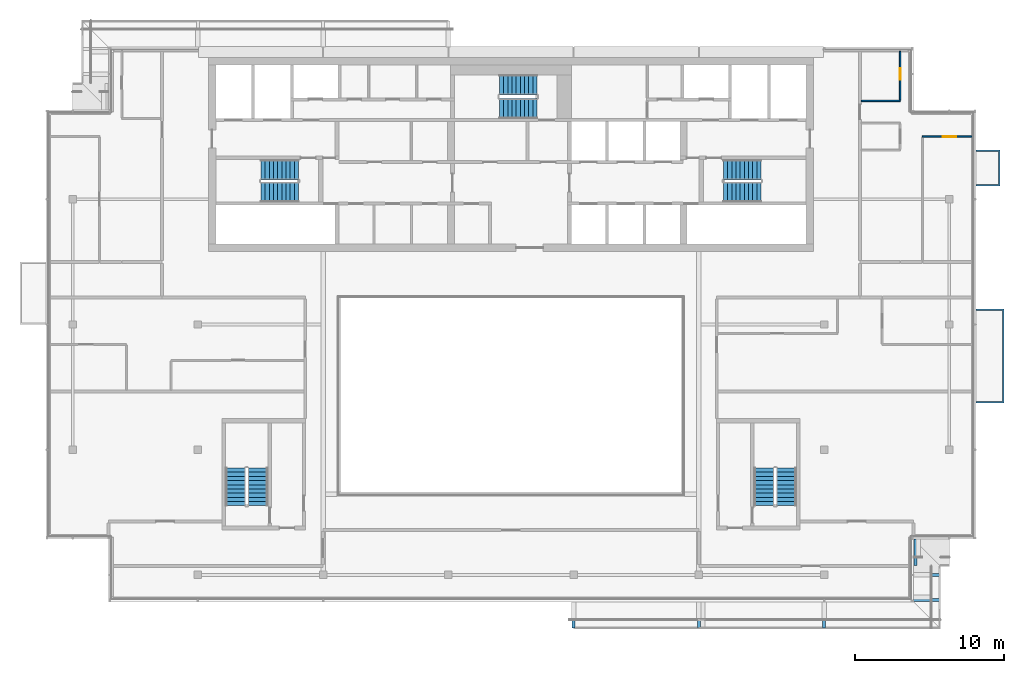
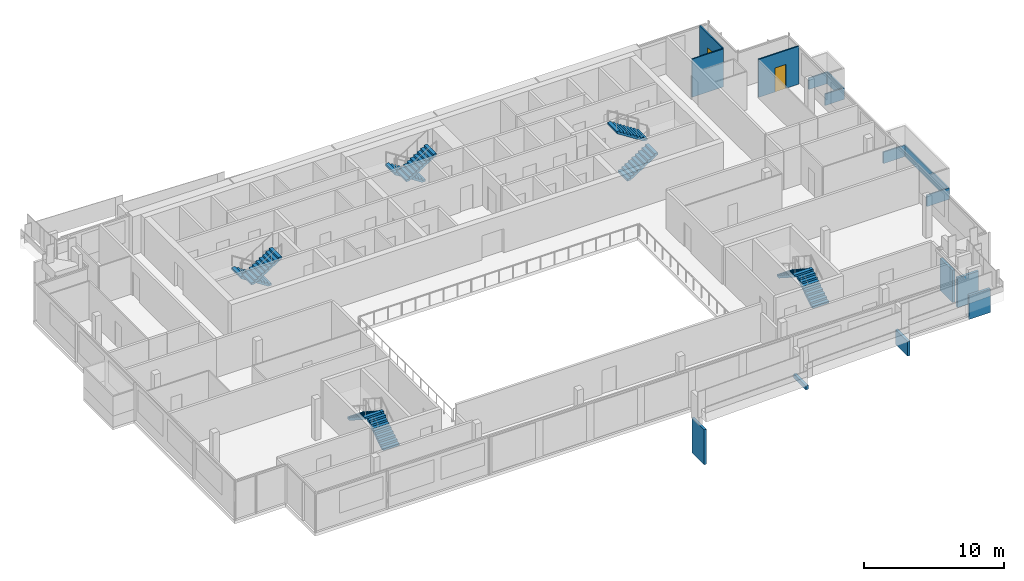
# One storey, part 15 of 21: 10 stair flights, 6 discrete accessories, 5 walls, 2 doors, 2 openings, 5 elements without a shape of their own.
"""IFC4 building model written with IfcOpenShell, lengths in metres."""

from ifc_helpers import new_model, si_unit, direction, frame, frame_2d, origin, origin_2d, place, context, subcontext, project, spatial, polyline, rectangle, outline, extrude, material, layer, layer_set, type_object, element, fill, aggregate, save


model = new_model("IFC4")

# Units and contexts
model_context = context("Model", 3, precision=1e-05, world=origin(), true_north=direction((0.0, 1.0)))
body_context = subcontext(model_context, "Body", "Model", "MODEL_VIEW")
ifc_project = project(units=[si_unit("LENGTHUNIT", "METRE"), si_unit("AREAUNIT", "SQUARE_METRE"), si_unit("VOLUMEUNIT", "CUBIC_METRE"), si_unit("PLANEANGLEUNIT", "RADIAN"), si_unit("MASSUNIT", "GRAM", prefix="KILO")], contexts=[model_context])

# Site, building, storey
site_placement = place(None, origin())
site = spatial("IfcSite", under=ifc_project, at=site_placement, CompositionType="ELEMENT")
building_placement = place(site_placement, origin())
building = spatial("IfcBuilding", under=site, at=building_placement, Name="Saffron Gate Tower", CompositionType="ELEMENT")
storey_placement = place(building_placement, frame((0.0, 0.0, 288.75)))
storey = spatial("IfcBuildingStorey", under=building, at=storey_placement, Name="L70", CompositionType="ELEMENT", Elevation=288.75)

# Wall, opening, door
ifc_material_1 = material(Name="Plasterboard on steel studs", Category="steel")
ifc_layer_1 = layer(ifc_material_1, 0.10009765625)
ifc_layer_set_1 = layer_set([ifc_layer_1], Name="PW1 Partition 100")
wall_type_1 = type_object("IfcWallType", Name="PW1 Partition 100", PredefinedType="PARTITIONING", material=ifc_layer_set_1)
wall_1_placement = place(storey_placement, frame((118.52001953125, 69.60009765625, 0.0), z_axis=(0.0, 0.0, 1.0), x_axis=(-1.0, 0.0, 0.0)))
wall_1 = element("IfcWall", 1, at=wall_1_placement, inside=storey, type_object=wall_type_1, Name="Partition E5-25", PredefinedType="PARTITIONING", context=body_context, shape_type="SweptSolid", body=[
    extrude(rectangle(XDim=3.320068359375, YDim=0.10009765625, at=frame_2d((1.66015625, 0.0))), origin(), (0.0, 0.0, 1.0), 3.320068359375),
])
opening_1_placement = place(wall_1_placement, frame((1.070068359375, 0.0, 0.0)))
opening_1 = element("IfcOpeningElement", 2, at=opening_1_placement, cuts=wall_1, Name="Opening E5-8", PredefinedType="OPENING", context=body_context, shape_type="SweptSolid", body=[
    extrude(rectangle(XDim=0.89990234375, YDim=2.10009765625, at=frame_2d((0.449951171875, 1.050048828125))), frame((0.0, 0.06005859375, 0.0), z_axis=(0.0, -1.0, 0.0), x_axis=(1.0, 0.0, 0.0)), (0.0, 0.0, 1.0), 0.1201171875),
])
ifc_material_2 = material(Name="Timber door set", Category="wood")
door_type_1 = type_object("IfcDoorType", Name="RD1 Room door 900x2100", OperationType="NOTDEFINED", PredefinedType="DOOR", material=ifc_material_2)
door_1_placement = place(opening_1_placement, origin())
door_1 = element("IfcDoor", 3, at=door_1_placement, inside=storey, type_object=door_type_1, Name="Door E5-8", OperationType="SINGLE_SWING_LEFT", OverallHeight=2.10009765625, OverallWidth=0.89990234375, PredefinedType="DOOR", context=body_context, shape_type="SweptSolid", body=[
    extrude(rectangle(XDim=0.89990234375, YDim=2.10009765625, at=frame_2d((0.449951171875, 1.050048828125))), frame((0.0, 0.02490234375, 0.0), z_axis=(0.0, -1.0, 0.0), x_axis=(1.0, 0.0, 0.0)), (0.0, 0.0, 1.0), 0.050048828125),
])
fill(opening_1, door_1)

# Wall
wall_2_placement = place(storey_placement, frame((111.10009765625, 72.0, 0.0), z_axis=(0.0, 0.0, 1.0), x_axis=(1.0, 0.0, 0.0)))
element("IfcWall", 4, at=wall_2_placement, inside=storey, type_object=wall_type_1, Name="Partition E5-28", PredefinedType="PARTITIONING", context=body_context, shape_type="SweptSolid", body=[
    extrude(rectangle(XDim=2.599853515625, YDim=0.10009765625, at=frame_2d((1.2998046875, 0.0))), origin(), (0.0, 0.0, 1.0), 3.320068359375),
])

# Wall, opening, door
wall_3_placement = place(storey_placement, frame((113.699951171875, 72.050048828125, 0.0), z_axis=(0.0, 0.0, 1.0), x_axis=(0.0, 1.0, 0.0)))
wall_3 = element("IfcWall", 5, at=wall_3_placement, inside=storey, type_object=wall_type_1, Name="Partition E5-45", PredefinedType="PARTITIONING", context=body_context, shape_type="SweptSolid", body=[
    extrude(rectangle(XDim=3.27001953125, YDim=0.10009765625, at=frame_2d((1.635009765625, 0.0))), origin(), (0.0, 0.0, 1.0), 3.320068359375),
])
opening_2_placement = place(wall_3_placement, frame((1.35009765625, 0.0, 0.0)))
opening_2 = element("IfcOpeningElement", 6, at=opening_2_placement, cuts=wall_3, Name="Opening E5-13", PredefinedType="OPENING", context=body_context, shape_type="SweptSolid", body=[
    extrude(rectangle(XDim=0.800048828125, YDim=2.10009765625, at=frame_2d((0.39990234375, 1.050048828125))), frame((0.0, 0.06005859375, 0.0), z_axis=(0.0, -1.0, 0.0), x_axis=(1.0, 0.0, 0.0)), (0.0, 0.0, 1.0), 0.1201171875),
])
door_type_2 = type_object("IfcDoorType", Name="RD2 Bathroom door 800x2100", OperationType="NOTDEFINED", PredefinedType="DOOR", material=ifc_material_2)
door_2_placement = place(opening_2_placement, origin())
door_2 = element("IfcDoor", 7, at=door_2_placement, inside=storey, type_object=door_type_2, Name="Door E5-13", OperationType="SINGLE_SWING_RIGHT", OverallHeight=2.10009765625, OverallWidth=0.800048828125, PredefinedType="DOOR", context=body_context, shape_type="SweptSolid", body=[
    extrude(rectangle(XDim=0.800048828125, YDim=2.10009765625, at=frame_2d((0.39990234375, 1.050048828125))), frame((0.0, 0.02490234375, 0.0), z_axis=(0.0, -1.0, 0.0), x_axis=(1.0, 0.0, 0.0)), (0.0, 0.0, 1.0), 0.050048828125),
])
fill(opening_2, door_2)

# Walls
ifc_material_3 = material(Name="Rendered insulated panel, white")
ifc_layer_2 = layer(ifc_material_3, 0.10009765625)
ifc_layer_set_2 = layer_set([ifc_layer_2], Name="WB3 box parapet white")
wall_type_2 = type_object("IfcWallType", Name="WB3 box parapet white", PredefinedType="SOLIDWALL", material=ifc_layer_set_2)
wall_4_placement = place(storey_placement, origin())
element("IfcWall", 8, at=wall_4_placement, inside=storey, type_object=wall_type_2, Name="WINDOW BOX parapet", PredefinedType="SOLIDWALL", context=body_context, shape_type="SweptSolid", body=[
    extrude(outline(polyline([(118.800048828125, 51.75), (118.800048828125, 51.85009765625), (120.56689453125, 51.85009765625), (120.56689453125, 57.949951171875), (118.800048828125, 57.949951171875), (118.800048828125, 58.050048828125), (120.6669921875, 58.050048828125), (120.6669921875, 51.75), (118.800048828125, 51.75)])), origin(), (0.0, 0.0, 1.0), 1.0),
])
wall_5_placement = place(storey_placement, origin())
element("IfcWall", 9, at=wall_5_placement, inside=storey, type_object=wall_type_2, Name="WINDOW BOX parapet", PredefinedType="SOLIDWALL", context=body_context, shape_type="SweptSolid", body=[
    extrude(outline(polyline([(118.800048828125, 66.300048828125), (118.800048828125, 66.39990234375), (120.300048828125, 66.39990234375), (120.300048828125, 68.60009765625), (118.800048828125, 68.60009765625), (118.800048828125, 68.699951171875), (120.39990234375, 68.699951171875), (120.39990234375, 66.300048828125), (118.800048828125, 66.300048828125)])), origin(), (0.0, 0.0, 1.0), 1.0),
])

# Stair, stair flights
ifc_material_4 = material(Name="Concrete C40", Category="concrete")
stair_type = type_object("IfcStairType", Name="ST7 Stair 1350 wide, 20 risers of 180", PredefinedType="HALF_TURN_STAIR", material=ifc_material_4)
stair_1_placement = place(storey_placement, origin())
stair_1 = element("IfcStair", 10, at=stair_1_placement, inside=storey, type_object=stair_type, Name="L70 Exit stair A", PredefinedType="HALF_TURN_STAIR")
stair_flight_type = type_object("IfcStairFlightType", Name="SF3 Stair flight 1350 wide, riser 180 going 280", PredefinedType="STRAIGHT", material=ifc_material_4)
stair_flight_1_placement = place(storey_placement, frame((73.35009765625, 67.375, 0.0), z_axis=(0.0, 0.0, 1.0), x_axis=(-1.0, 0.0, 0.0)))
stair_flight_1 = element("IfcStairFlight", 11, at=stair_flight_1_placement, type_object=stair_flight_type, Name="ST-A flight 1", NumberOfRisers=10, NumberOfTreads=9, PredefinedType="STRAIGHT", RiserHeight=0.18, TreadLength=0.28, context=body_context, shape_type="SweptSolid", body=[
    extrude(outline(polyline([(0.0, 0.0), (0.0, 0.179931640625), (0.280029296875, 0.179931640625), (0.280029296875, 0.360107421875), (0.56005859375, 0.360107421875), (0.56005859375, 0.5400390625), (0.840087890625, 0.5400390625), (0.840087890625, 0.719970703125), (1.1201171875, 0.719970703125), (1.1201171875, 0.89990234375), (1.39990234375, 0.89990234375), (1.39990234375, 1.080078125), (1.679931640625, 1.080078125), (1.679931640625, 1.260009765625), (1.9599609375, 1.260009765625), (1.9599609375, 1.43994140625), (2.239990234375, 1.43994140625), (2.239990234375, 1.6201171875), (2.52001953125, 1.6201171875), (2.52001953125, 1.800048828125), (2.52001953125, 1.44189453125), (0.277099609375, 0.0), (0.0, 0.0)])), frame((0.0, 0.675048828125, 0.0), z_axis=(0.0, -1.0, 0.0), x_axis=(1.0, 0.0, 0.0)), (0.0, 0.0, 1.0), 1.35009765625),
])
stair_flight_2_placement = place(storey_placement, frame((70.830078125, 65.875, 1.800048828125), z_axis=(0.0, 0.0, 1.0), x_axis=(1.0, 0.0, 0.0)))
stair_flight_2 = element("IfcStairFlight", 12, at=stair_flight_2_placement, type_object=stair_flight_type, Name="ST-A flight 2", NumberOfRisers=10, NumberOfTreads=9, PredefinedType="STRAIGHT", RiserHeight=0.18, TreadLength=0.28, context=body_context, shape_type="SweptSolid", body=[
    extrude(outline(polyline([(0.0, 0.0), (0.0, 0.179931640625), (0.280029296875, 0.179931640625), (0.280029296875, 0.360107421875), (0.56005859375, 0.360107421875), (0.56005859375, 0.5400390625), (0.840087890625, 0.5400390625), (0.840087890625, 0.719970703125), (1.1201171875, 0.719970703125), (1.1201171875, 0.89990234375), (1.39990234375, 0.89990234375), (1.39990234375, 1.080078125), (1.679931640625, 1.080078125), (1.679931640625, 1.260009765625), (1.9599609375, 1.260009765625), (1.9599609375, 1.43994140625), (2.239990234375, 1.43994140625), (2.239990234375, 1.6201171875), (2.52001953125, 1.6201171875), (2.52001953125, 1.800048828125), (2.52001953125, 1.44189453125), (0.277099609375, 0.0), (0.0, 0.0)])), frame((0.0, 0.675048828125, 0.0), z_axis=(0.0, -1.0, 0.0), x_axis=(1.0, 0.0, 0.0)), (0.0, 0.0, 1.0), 1.35009765625),
])
aggregate(stair_1, [stair_flight_1, stair_flight_2])

stair_2_placement = place(storey_placement, origin())
stair_2 = element("IfcStair", 13, at=stair_2_placement, inside=storey, type_object=stair_type, Name="L70 Exit stair B", PredefinedType="HALF_TURN_STAIR")
stair_flight_3_placement = place(storey_placement, frame((101.85009765625, 65.875, 0.0), z_axis=(0.0, 0.0, 1.0), x_axis=(1.0, 0.0, 0.0)))
stair_flight_3 = element("IfcStairFlight", 14, at=stair_flight_3_placement, type_object=stair_flight_type, Name="ST-B flight 1", NumberOfRisers=10, NumberOfTreads=9, PredefinedType="STRAIGHT", RiserHeight=0.18, TreadLength=0.28, context=body_context, shape_type="SweptSolid", body=[
    extrude(outline(polyline([(0.0, 0.0), (0.0, 0.179931640625), (0.280029296875, 0.179931640625), (0.280029296875, 0.360107421875), (0.56005859375, 0.360107421875), (0.56005859375, 0.5400390625), (0.840087890625, 0.5400390625), (0.840087890625, 0.719970703125), (1.1201171875, 0.719970703125), (1.1201171875, 0.89990234375), (1.39990234375, 0.89990234375), (1.39990234375, 1.080078125), (1.679931640625, 1.080078125), (1.679931640625, 1.260009765625), (1.9599609375, 1.260009765625), (1.9599609375, 1.43994140625), (2.239990234375, 1.43994140625), (2.239990234375, 1.6201171875), (2.52001953125, 1.6201171875), (2.52001953125, 1.800048828125), (2.52001953125, 1.44189453125), (0.277099609375, 0.0), (0.0, 0.0)])), frame((0.0, 0.675048828125, 0.0), z_axis=(0.0, -1.0, 0.0), x_axis=(1.0, 0.0, 0.0)), (0.0, 0.0, 1.0), 1.35009765625),
])
stair_flight_4_placement = place(storey_placement, frame((104.3701171875, 67.375, 1.800048828125), z_axis=(0.0, 0.0, 1.0), x_axis=(-1.0, 0.0, 0.0)))
stair_flight_4 = element("IfcStairFlight", 15, at=stair_flight_4_placement, type_object=stair_flight_type, Name="ST-B flight 2", NumberOfRisers=10, NumberOfTreads=9, PredefinedType="STRAIGHT", RiserHeight=0.18, TreadLength=0.28, context=body_context, shape_type="SweptSolid", body=[
    extrude(outline(polyline([(0.0, 0.0), (0.0, 0.179931640625), (0.280029296875, 0.179931640625), (0.280029296875, 0.360107421875), (0.56005859375, 0.360107421875), (0.56005859375, 0.5400390625), (0.840087890625, 0.5400390625), (0.840087890625, 0.719970703125), (1.1201171875, 0.719970703125), (1.1201171875, 0.89990234375), (1.39990234375, 0.89990234375), (1.39990234375, 1.080078125), (1.679931640625, 1.080078125), (1.679931640625, 1.260009765625), (1.9599609375, 1.260009765625), (1.9599609375, 1.43994140625), (2.239990234375, 1.43994140625), (2.239990234375, 1.6201171875), (2.52001953125, 1.6201171875), (2.52001953125, 1.800048828125), (2.52001953125, 1.44189453125), (0.277099609375, 0.0), (0.0, 0.0)])), frame((0.0, 0.675048828125, 0.0), z_axis=(0.0, -1.0, 0.0), x_axis=(1.0, 0.0, 0.0)), (0.0, 0.0, 1.0), 1.35009765625),
])
aggregate(stair_2, [stair_flight_3, stair_flight_4])

stair_3_placement = place(storey_placement, origin())
stair_3 = element("IfcStair", 16, at=stair_3_placement, inside=storey, type_object=stair_type, Name="L70 Exit stair C", PredefinedType="HALF_TURN_STAIR")
stair_flight_5_placement = place(storey_placement, frame((89.35009765625, 73.074951171875, 0.0), z_axis=(0.0, 0.0, 1.0), x_axis=(-1.0, 0.0, 0.0)))
stair_flight_5 = element("IfcStairFlight", 17, at=stair_flight_5_placement, type_object=stair_flight_type, Name="ST-C flight 1", NumberOfRisers=10, NumberOfTreads=9, PredefinedType="STRAIGHT", RiserHeight=0.18, TreadLength=0.28, context=body_context, shape_type="SweptSolid", body=[
    extrude(outline(polyline([(0.0, 0.0), (0.0, 0.179931640625), (0.280029296875, 0.179931640625), (0.280029296875, 0.360107421875), (0.56005859375, 0.360107421875), (0.56005859375, 0.5400390625), (0.840087890625, 0.5400390625), (0.840087890625, 0.719970703125), (1.1201171875, 0.719970703125), (1.1201171875, 0.89990234375), (1.39990234375, 0.89990234375), (1.39990234375, 1.080078125), (1.679931640625, 1.080078125), (1.679931640625, 1.260009765625), (1.9599609375, 1.260009765625), (1.9599609375, 1.43994140625), (2.239990234375, 1.43994140625), (2.239990234375, 1.6201171875), (2.52001953125, 1.6201171875), (2.52001953125, 1.800048828125), (2.52001953125, 1.44189453125), (0.277099609375, 0.0), (0.0, 0.0)])), frame((0.0, 0.675048828125, 0.0), z_axis=(0.0, -1.0, 0.0), x_axis=(1.0, 0.0, 0.0)), (0.0, 0.0, 1.0), 1.35009765625),
])
stair_flight_6_placement = place(storey_placement, frame((86.830078125, 71.47509765625, 1.800048828125), z_axis=(0.0, 0.0, 1.0), x_axis=(1.0, 0.0, 0.0)))
stair_flight_6 = element("IfcStairFlight", 18, at=stair_flight_6_placement, type_object=stair_flight_type, Name="ST-C flight 2", NumberOfRisers=10, NumberOfTreads=9, PredefinedType="STRAIGHT", RiserHeight=0.18, TreadLength=0.28, context=body_context, shape_type="SweptSolid", body=[
    extrude(outline(polyline([(0.0, 0.0), (0.0, 0.179931640625), (0.280029296875, 0.179931640625), (0.280029296875, 0.360107421875), (0.56005859375, 0.360107421875), (0.56005859375, 0.5400390625), (0.840087890625, 0.5400390625), (0.840087890625, 0.719970703125), (1.1201171875, 0.719970703125), (1.1201171875, 0.89990234375), (1.39990234375, 0.89990234375), (1.39990234375, 1.080078125), (1.679931640625, 1.080078125), (1.679931640625, 1.260009765625), (1.9599609375, 1.260009765625), (1.9599609375, 1.43994140625), (2.239990234375, 1.43994140625), (2.239990234375, 1.6201171875), (2.52001953125, 1.6201171875), (2.52001953125, 1.800048828125), (2.52001953125, 1.44189453125), (0.277099609375, 0.0), (0.0, 0.0)])), frame((0.0, 0.675048828125, 0.0), z_axis=(0.0, -1.0, 0.0), x_axis=(1.0, 0.0, 0.0)), (0.0, 0.0, 1.0), 1.35009765625),
])
aggregate(stair_3, [stair_flight_5, stair_flight_6])

stair_4_placement = place(storey_placement, origin())
stair_4 = element("IfcStair", 19, at=stair_4_placement, inside=storey, type_object=stair_type, Name="L70 Exit stair D", PredefinedType="HALF_TURN_STAIR")
stair_flight_7_placement = place(storey_placement, frame((70.625, 44.85009765625, 0.0), z_axis=(0.0, 0.0, 1.0), x_axis=(0.0, 1.0, 0.0)))
stair_flight_7 = element("IfcStairFlight", 20, at=stair_flight_7_placement, type_object=stair_flight_type, Name="ST-D flight 1", NumberOfRisers=10, NumberOfTreads=9, PredefinedType="STRAIGHT", RiserHeight=0.18, TreadLength=0.28, context=body_context, shape_type="SweptSolid", body=[
    extrude(outline(polyline([(0.0, 0.0), (0.0, 0.179931640625), (0.280029296875, 0.179931640625), (0.280029296875, 0.360107421875), (0.56005859375, 0.360107421875), (0.56005859375, 0.5400390625), (0.840087890625, 0.5400390625), (0.840087890625, 0.719970703125), (1.1201171875, 0.719970703125), (1.1201171875, 0.89990234375), (1.39990234375, 0.89990234375), (1.39990234375, 1.080078125), (1.679931640625, 1.080078125), (1.679931640625, 1.260009765625), (1.9599609375, 1.260009765625), (1.9599609375, 1.43994140625), (2.239990234375, 1.43994140625), (2.239990234375, 1.6201171875), (2.52001953125, 1.6201171875), (2.52001953125, 1.800048828125), (2.52001953125, 1.44189453125), (0.277099609375, 0.0), (0.0, 0.0)])), frame((0.0, 0.675048828125, 0.0), z_axis=(0.0, -1.0, 0.0), x_axis=(1.0, 0.0, 0.0)), (0.0, 0.0, 1.0), 1.35009765625),
])
stair_flight_8_placement = place(storey_placement, frame((69.125, 47.3701171875, 1.800048828125), z_axis=(0.0, 0.0, 1.0), x_axis=(0.0, -1.0, 0.0)))
stair_flight_8 = element("IfcStairFlight", 21, at=stair_flight_8_placement, type_object=stair_flight_type, Name="ST-D flight 2", NumberOfRisers=10, NumberOfTreads=9, PredefinedType="STRAIGHT", RiserHeight=0.18, TreadLength=0.28, context=body_context, shape_type="SweptSolid", body=[
    extrude(outline(polyline([(0.0, 0.0), (0.0, 0.179931640625), (0.280029296875, 0.179931640625), (0.280029296875, 0.360107421875), (0.56005859375, 0.360107421875), (0.56005859375, 0.5400390625), (0.840087890625, 0.5400390625), (0.840087890625, 0.719970703125), (1.1201171875, 0.719970703125), (1.1201171875, 0.89990234375), (1.39990234375, 0.89990234375), (1.39990234375, 1.080078125), (1.679931640625, 1.080078125), (1.679931640625, 1.260009765625), (1.9599609375, 1.260009765625), (1.9599609375, 1.43994140625), (2.239990234375, 1.43994140625), (2.239990234375, 1.6201171875), (2.52001953125, 1.6201171875), (2.52001953125, 1.800048828125), (2.52001953125, 1.44189453125), (0.277099609375, 0.0), (0.0, 0.0)])), frame((0.0, 0.675048828125, 0.0), z_axis=(0.0, -1.0, 0.0), x_axis=(1.0, 0.0, 0.0)), (0.0, 0.0, 1.0), 1.35009765625),
])
aggregate(stair_4, [stair_flight_7, stair_flight_8])

stair_5_placement = place(storey_placement, origin())
stair_5 = element("IfcStair", 22, at=stair_5_placement, inside=storey, type_object=stair_type, Name="L70 Exit stair E", PredefinedType="HALF_TURN_STAIR")
stair_flight_9_placement = place(storey_placement, frame((106.074951171875, 44.85009765625, 0.0), z_axis=(0.0, 0.0, 1.0), x_axis=(0.0, 1.0, 0.0)))
stair_flight_9 = element("IfcStairFlight", 23, at=stair_flight_9_placement, type_object=stair_flight_type, Name="ST-E flight 1", NumberOfRisers=10, NumberOfTreads=9, PredefinedType="STRAIGHT", RiserHeight=0.18, TreadLength=0.28, context=body_context, shape_type="SweptSolid", body=[
    extrude(outline(polyline([(0.0, 0.0), (0.0, 0.179931640625), (0.280029296875, 0.179931640625), (0.280029296875, 0.360107421875), (0.56005859375, 0.360107421875), (0.56005859375, 0.5400390625), (0.840087890625, 0.5400390625), (0.840087890625, 0.719970703125), (1.1201171875, 0.719970703125), (1.1201171875, 0.89990234375), (1.39990234375, 0.89990234375), (1.39990234375, 1.080078125), (1.679931640625, 1.080078125), (1.679931640625, 1.260009765625), (1.9599609375, 1.260009765625), (1.9599609375, 1.43994140625), (2.239990234375, 1.43994140625), (2.239990234375, 1.6201171875), (2.52001953125, 1.6201171875), (2.52001953125, 1.800048828125), (2.52001953125, 1.44189453125), (0.277099609375, 0.0), (0.0, 0.0)])), frame((0.0, 0.675048828125, 0.0), z_axis=(0.0, -1.0, 0.0), x_axis=(1.0, 0.0, 0.0)), (0.0, 0.0, 1.0), 1.35009765625),
])
stair_flight_10_placement = place(storey_placement, frame((104.574951171875, 47.3701171875, 1.800048828125), z_axis=(0.0, 0.0, 1.0), x_axis=(0.0, -1.0, 0.0)))
stair_flight_10 = element("IfcStairFlight", 24, at=stair_flight_10_placement, type_object=stair_flight_type, Name="ST-E flight 2", NumberOfRisers=10, NumberOfTreads=9, PredefinedType="STRAIGHT", RiserHeight=0.18, TreadLength=0.28, context=body_context, shape_type="SweptSolid", body=[
    extrude(outline(polyline([(0.0, 0.0), (0.0, 0.179931640625), (0.280029296875, 0.179931640625), (0.280029296875, 0.360107421875), (0.56005859375, 0.360107421875), (0.56005859375, 0.5400390625), (0.840087890625, 0.5400390625), (0.840087890625, 0.719970703125), (1.1201171875, 0.719970703125), (1.1201171875, 0.89990234375), (1.39990234375, 0.89990234375), (1.39990234375, 1.080078125), (1.679931640625, 1.080078125), (1.679931640625, 1.260009765625), (1.9599609375, 1.260009765625), (1.9599609375, 1.43994140625), (2.239990234375, 1.43994140625), (2.239990234375, 1.6201171875), (2.52001953125, 1.6201171875), (2.52001953125, 1.800048828125), (2.52001953125, 1.44189453125), (0.277099609375, 0.0), (0.0, 0.0)])), frame((0.0, 0.675048828125, 0.0), z_axis=(0.0, -1.0, 0.0), x_axis=(1.0, 0.0, 0.0)), (0.0, 0.0, 1.0), 1.35009765625),
])
aggregate(stair_5, [stair_flight_9, stair_flight_10])

# Discrete accessories
discrete_accessory_1_placement = place(storey_placement, frame((91.800048828125, 37.52490234375, -3.880126953125), z_axis=(0.0, 0.0, 1.0), x_axis=(1.0, 0.0, 0.0)))
element("IfcDiscreteAccessory", 25, at=discrete_accessory_1_placement, inside=storey, Name="LEDGE rib", PredefinedType="BRACKET", context=body_context, shape_type="SweptSolid", body=[
    extrude(rectangle(XDim=0.199951171875, YDim=1.75, at=origin_2d()), origin(), (0.0, 0.0, 1.0), 3.05517578125),
])
discrete_accessory_2_placement = place(storey_placement, frame((100.199951171875, 37.52490234375, -0.280029296875), z_axis=(0.0, 0.0, 1.0), x_axis=(1.0, 0.0, 0.0)))
element("IfcDiscreteAccessory", 26, at=discrete_accessory_2_placement, inside=storey, Name="LEDGE rib", PredefinedType="BRACKET", context=body_context, shape_type="SweptSolid", body=[
    extrude(rectangle(XDim=0.199951171875, YDim=1.75, at=origin_2d()), origin(), (0.0, 0.0, 1.0), 0.3515625),
])
discrete_accessory_3_placement = place(storey_placement, frame((108.60009765625, 37.52490234375, -0.27978515625), z_axis=(0.0, 0.0, 1.0), x_axis=(1.0, 0.0, 0.0)))
element("IfcDiscreteAccessory", 27, at=discrete_accessory_3_placement, inside=storey, Name="LEDGE rib", PredefinedType="BRACKET", context=body_context, shape_type="SweptSolid", body=[
    extrude(rectangle(XDim=0.199951171875, YDim=1.75, at=origin_2d()), origin(), (0.0, 0.0, 1.0), 1.279052734375),
])
discrete_accessory_4_placement = place(storey_placement, frame((115.47509765625, 38.52001953125, -0.280029296875), z_axis=(0.0, 0.0, 1.0), x_axis=(0.0, 1.0, 0.0)))
element("IfcDiscreteAccessory", 28, at=discrete_accessory_4_placement, inside=storey, Name="LEDGE rib", PredefinedType="BRACKET", context=body_context, shape_type="SweptSolid", body=[
    extrude(rectangle(XDim=0.199951171875, YDim=1.75, at=origin_2d()), origin(), (0.0, 0.0, 1.0), 2.0751953125),
])
discrete_accessory_5_placement = place(storey_placement, frame((115.47509765625, 40.199951171875, -0.27978515625), z_axis=(0.0, 0.0, 1.0), x_axis=(0.0, 1.0, 0.0)))
element("IfcDiscreteAccessory", 29, at=discrete_accessory_5_placement, inside=storey, Name="LEDGE rib", PredefinedType="BRACKET", context=body_context, shape_type="SweptSolid", body=[
    extrude(rectangle(XDim=0.199951171875, YDim=1.75, at=origin_2d()), origin(), (0.0, 0.0, 1.0), 2.594482421875),
])
discrete_accessory_6_placement = place(storey_placement, frame((114.719970703125, 41.72509765625, -0.27978515625), z_axis=(0.0, 0.0, 1.0), x_axis=(1.0, 0.0, 0.0)))
element("IfcDiscreteAccessory", 30, at=discrete_accessory_6_placement, inside=storey, Name="LEDGE rib", PredefinedType="BRACKET", context=body_context, shape_type="SweptSolid", body=[
    extrude(rectangle(XDim=0.199951171875, YDim=1.75, at=origin_2d()), origin(), (0.0, 0.0, 1.0), 2.803955078125),
])

save(model, "model.ifc")
